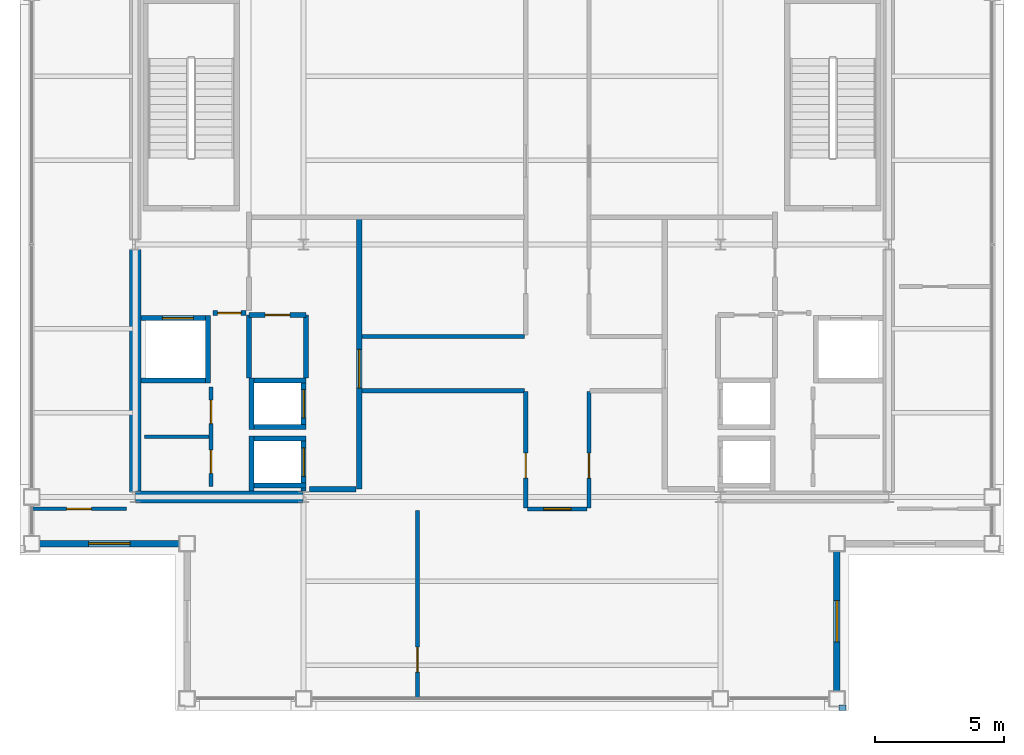
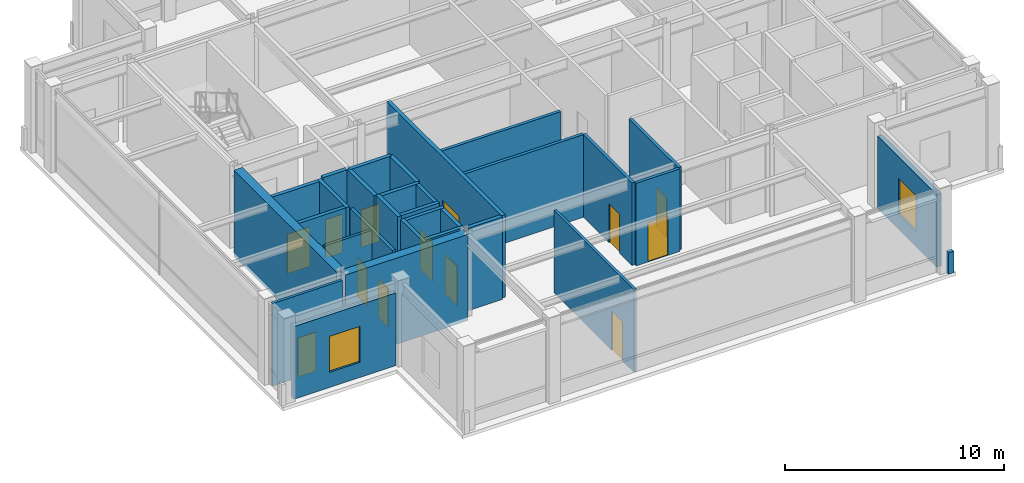
# One storey, part 17 of 21: 31 walls, 13 doors, 2 windows, 15 openings.
"""IFC4 building model written with IfcOpenShell, lengths in metres."""

import ifcopenshell
import ifcopenshell.guid

model = None  # the IFC model being written
_history = None  # IfcOwnerHistory: only IFC2X3 demands one
_inside = {}  # id of a spatial element -> (the spatial element, [elements in it])
_under = {}  # id of a project, library or spatial element -> (it, [spatial elements below it])
_declared = {}  # id of a project -> (the project, [libraries it declares])
_typed = {}  # id of a type object -> (the type object, [elements of that type])
_made_of = {}  # id of a material, layer set ... -> (it, [elements and type objects made of it])


def new_model(schema):
    """Start an empty IFC model of exactly this schema.

    Asked for "IFC4X3", IfcOpenShell would pick the latest addendum, in which some entities
    have other attributes; the version numbers below select the first issue.
    IFC2X3 requires an IfcOwnerHistory on every rooted entity: one is made here for all.
    """
    global model, _history
    if schema == "IFC4X3":
        model = ifcopenshell.file(schema_version=(4, 3, 0, 0))
    else:
        model = ifcopenshell.file(schema=schema)
    _inside.clear()
    _under.clear()
    _declared.clear()
    _typed.clear()
    _made_of.clear()
    _history = None
    if model.schema == "IFC2X3":
        org = make("IfcOrganization", Name="unknown")
        user = make(
            "IfcPersonAndOrganization",
            ThePerson=make("IfcPerson", FamilyName="unknown"),
            TheOrganization=org,
        )
        app = make(
            "IfcApplication",
            ApplicationDeveloper=org,
            Version="unknown",
            ApplicationFullName="unknown",
            ApplicationIdentifier="unknown",
        )
        _history = make(
            "IfcOwnerHistory",
            OwningUser=user,
            OwningApplication=app,
            ChangeAction="ADDED",
            CreationDate=0,
        )
    return model


def make(cls, **values):
    """One entity of the class cls with the attributes given. An attribute that is None is left unset."""
    return model.create_entity(
        cls, **{name: value for name, value in values.items() if value is not None}
    )


def rooted(cls, **values):
    """An entity with a GlobalId (a new one), such as an element, a storey or a relation."""
    return make(cls, GlobalId=ifcopenshell.guid.new(), OwnerHistory=_history, **values)


def si_unit(unit_type, name, prefix=None):
    """IfcSIUnit, for example si_unit("LENGTHUNIT", "METRE", prefix="MILLI")."""
    return make("IfcSIUnit", UnitType=unit_type, Prefix=prefix, Name=name)


def assignment(units):
    """IfcUnitAssignment: the units of a project."""
    return None if units is None else make("IfcUnitAssignment", Units=units)


def point(xyz):
    """IfcCartesianPoint."""
    return None if xyz is None else make("IfcCartesianPoint", Coordinates=xyz)


def direction(xyz):
    """IfcDirection."""
    return None if xyz is None else make("IfcDirection", DirectionRatios=xyz)


def frame(location, z_axis=None, x_axis=None):
    """IfcAxis2Placement3D, a coordinate frame: its origin and axes. An axis left out is left unset."""
    return make(
        "IfcAxis2Placement3D",
        Location=point(location),
        Axis=direction(z_axis),
        RefDirection=direction(x_axis),
    )


def frame_2d(location, x_axis=None):
    """IfcAxis2Placement2D, a coordinate frame in the plane: its origin and x axis."""
    return make(
        "IfcAxis2Placement2D", Location=point(location), RefDirection=direction(x_axis)
    )


def origin():
    """The frame at (0, 0, 0) with its axes left unset."""
    return frame((0.0, 0.0, 0.0))


def place(relative_to, where):
    """IfcLocalPlacement: puts the frame where relative to a parent placement (None: the world)."""
    return make(
        "IfcLocalPlacement", PlacementRelTo=relative_to, RelativePlacement=where
    )


def context(
    kind, dimensions, precision=None, world=None, true_north=None, identifier=None
):
    """IfcGeometricRepresentationContext, for example the 3D "Model" context."""
    return make(
        "IfcGeometricRepresentationContext",
        ContextIdentifier=identifier,
        ContextType=kind,
        CoordinateSpaceDimension=dimensions,
        Precision=precision,
        WorldCoordinateSystem=world,
        TrueNorth=true_north,
    )


def subcontext(parent, identifier, kind, view, scale=None):
    """IfcGeometricRepresentationSubContext, for example "Body" below "Model"."""
    return make(
        "IfcGeometricRepresentationSubContext",
        ContextIdentifier=identifier,
        ContextType=kind,
        ParentContext=parent,
        TargetScale=scale,
        TargetView=view,
    )


def project(units=None, contexts=None):
    """IfcProject with its units and contexts."""
    return rooted(
        "IfcProject",
        Name="project",
        RepresentationContexts=contexts,
        UnitsInContext=assignment(units),
    )


def spatial(cls, under=None, at=None, **own):
    """A site, building, storey or space (cls), placed at a placement, below another one or the project."""
    s = rooted(cls, ObjectPlacement=at, **own)
    if under is not None:
        _under.setdefault(under.id(), (under, []))[1].append(s)
    return s


def profile(cls, at=None, kind="AREA", **sizes):
    """A parametric profile (cls). Its sizes go by their IFC names, for example OverallWidth=200.0."""
    return make(cls, ProfileType=kind, Position=at, **sizes)


def rectangle(**sizes):
    """IfcRectangleProfileDef."""
    return profile("IfcRectangleProfileDef", **sizes)


def extrude(swept, where, along, depth):
    """IfcExtrudedAreaSolid: the profile swept, set in the frame where, extruded along a direction by depth."""
    return make(
        "IfcExtrudedAreaSolid",
        SweptArea=swept,
        Position=where,
        ExtrudedDirection=direction(along),
        Depth=depth,
    )


def shape(context_of_items, identifier, shape_type, items):
    """IfcShapeRepresentation: the items that make up one representation, for example the "Body"."""
    return make(
        "IfcShapeRepresentation",
        ContextOfItems=context_of_items,
        RepresentationIdentifier=identifier,
        RepresentationType=shape_type,
        Items=items,
    )


def material(Name=None, Category=None):
    """IfcMaterial."""
    return make("IfcMaterial", Name=Name, Category=Category)


def layer(
    of_material, thickness, ventilated=None, Name=None, Category=None, Priority=None
):
    """IfcMaterialLayer: one layer of a wall or slab, of a material (None: an air gap)."""
    return make(
        "IfcMaterialLayer",
        Material=of_material,
        LayerThickness=thickness,
        IsVentilated=ventilated,
        Name=Name,
        Category=Category,
        Priority=Priority,
    )


def layer_set(layers, Name=None):
    """IfcMaterialLayerSet."""
    return make("IfcMaterialLayerSet", MaterialLayers=layers, LayerSetName=Name)


def made_of(thing, what):
    """Note that an element or type object is made of a material, layer set ...; save() writes the relation."""
    if what is not None:
        _made_of.setdefault(what.id(), (what, []))[1].append(thing)
    return thing


def type_object(cls, material=None, **own):
    """A type object (cls), such as IfcWallType, which elements share."""
    return made_of(rooted(cls, **own), material)


def element(
    cls,
    number,
    at=None,
    inside=None,
    cuts=None,
    type_object=None,
    material=None,
    context=None,
    identifier="Body",
    shape_type=None,
    held_by="IfcProductDefinitionShape",
    body=None,
    shapes=None,
    **own,
):
    """One element of the class cls, such as IfcWall. Its Tag is "e" and its number.

    at: its placement. inside: the storey or other place that contains it. cuts: it is an
    opening in that element (IfcRelVoidsElement). A single representation is given by context,
    identifier, shape_type and body (its items); several are given by shapes. held_by: the class
    of the entity that holds the representations. save() writes the other relations.
    """
    e = rooted(cls, Tag="e%d" % number, ObjectPlacement=at, **own)
    if body is not None:
        shapes = [shape(context, identifier, shape_type, body)]
    if shapes is not None:
        e.Representation = make(held_by, Representations=shapes)
    if inside is not None:
        _inside.setdefault(inside.id(), (inside, []))[1].append(e)
    if cuts is not None:
        rooted(
            "IfcRelVoidsElement", RelatingBuildingElement=cuts, RelatedOpeningElement=e
        )
    if type_object is not None:
        _typed.setdefault(type_object.id(), (type_object, []))[1].append(e)
    return made_of(e, material)


def fill(opening, filler):
    """IfcRelFillsElement: the door or window that sits in an opening."""
    return rooted(
        "IfcRelFillsElement",
        RelatingOpeningElement=opening,
        RelatedBuildingElement=filler,
    )


def aggregate(whole, parts):
    """IfcRelAggregates: a whole, such as a stair, and the parts it consists of."""
    return rooted("IfcRelAggregates", RelatingObject=whole, RelatedObjects=parts)


def save(model, path):
    """Write the relations noted so far, then the file.

    IfcRelAggregates (storeys below a building ...), IfcRelContainedInSpatialStructure (elements
    in a storey), IfcRelDefinesByType, IfcRelAssociatesMaterial and IfcRelDeclares: one each for
    every whole, place, type object, material and project.
    """
    for whole, parts in _under.values():
        aggregate(whole, parts)
    for where, things in _inside.values():
        rooted(
            "IfcRelContainedInSpatialStructure",
            RelatedElements=things,
            RelatingStructure=where,
        )
    for kind, things in _typed.values():
        rooted("IfcRelDefinesByType", RelatedObjects=things, RelatingType=kind)
    for what, things in _made_of.values():
        rooted("IfcRelAssociatesMaterial", RelatedObjects=things, RelatingMaterial=what)
    for by, libraries in _declared.values():
        rooted("IfcRelDeclares", RelatingContext=by, RelatedDefinitions=libraries)
    model.write(path)


model = new_model("IFC4")

# Units and contexts
model_context = context("Model", 3, precision=1e-05, world=origin(), true_north=direction((0.0, 1.0)))
body_context = subcontext(model_context, "Body", "Model", "MODEL_VIEW")
ifc_project = project(units=[si_unit("LENGTHUNIT", "METRE"), si_unit("AREAUNIT", "SQUARE_METRE"), si_unit("VOLUMEUNIT", "CUBIC_METRE"), si_unit("PLANEANGLEUNIT", "RADIAN"), si_unit("MASSUNIT", "GRAM", prefix="KILO")], contexts=[model_context])

# Site, building, storey
site_placement = place(None, origin())
site = spatial("IfcSite", under=ifc_project, at=site_placement, CompositionType="ELEMENT")
building_placement = place(site_placement, origin())
building = spatial("IfcBuilding", under=site, at=building_placement, Name="Brelmoor Portico Tower", CompositionType="ELEMENT")
storey_placement = place(building_placement, frame((0.0, 0.0, 284.39990234375)))
storey = spatial("IfcBuildingStorey", under=building, at=storey_placement, Name="L75", CompositionType="ELEMENT", Elevation=284.39990234375)

# Walls
ifc_material_1 = material(Name="Concrete C50", Category="concrete")
ifc_layer_1 = layer(ifc_material_1, 0.449951171875)
ifc_layer_set_1 = layer_set([ifc_layer_1], Name="Concrete C50")
wall_type_1 = type_object("IfcWallType", Name="WL-CORE-450", PredefinedType="SHEAR", material=ifc_layer_set_1)
wall_1_placement = place(storey_placement, frame((-14.530029296875, -9.75, -0.199951171875), z_axis=(0.0, 0.0, 1.0), x_axis=(1.0, 0.0, 0.0)))
element("IfcWall", 1, at=wall_1_placement, inside=storey, type_object=wall_type_1, Name="L75 WC South Shear Wall", PredefinedType="SHEAR", context=body_context, shape_type="SweptSolid", body=[
    extrude(rectangle(XDim=6.4599609375, YDim=0.449951171875, at=frame_2d((3.22998046875, 0.0))), origin(), (0.0, 0.0, 1.0), 4.800048828125),
])
wall_2_placement = place(storey_placement, frame((-14.550048828125, -9.550048828125, -0.199951171875), z_axis=(0.0, 0.0, 1.0), x_axis=(0.0, 1.0, 0.0)))
element("IfcWall", 2, at=wall_2_placement, inside=storey, type_object=wall_type_1, Name="L75 WC Outer South Shear Wall", PredefinedType="SHEAR", context=body_context, shape_type="SweptSolid", body=[
    extrude(rectangle(XDim=9.35009765625, YDim=0.449951171875, at=frame_2d((4.675048828125, 0.0))), origin(), (0.0, 0.0, 1.0), 4.800048828125),
])

# Wall, opening, window
ifc_material_2 = material(Name="Precast Concrete C40 Insulated Facade Wall", Category="concrete")
ifc_layer_2 = layer(ifc_material_2, 0.25)
ifc_layer_set_2 = layer_set([ifc_layer_2], Name="Precast Concrete C40 Insulated Facade Wall")
wall_type_2 = type_object("IfcWallType", Name="WL-EXT-250", PredefinedType="STANDARD", material=ifc_layer_set_2)
wall_3_placement = place(storey_placement, frame((-18.239990234375, -11.550048828125, 0.0), z_axis=(0.0, 0.0, 1.0), x_axis=(1.0, 0.0, 0.0)))
wall_3 = element("IfcWall", 3, at=wall_3_placement, inside=storey, type_object=wall_type_2, Name="L75 Corner Notch Facade Wall NSWH1", PredefinedType="STANDARD", context=body_context, shape_type="SweptSolid", body=[
    extrude(rectangle(XDim=5.3798828125, YDim=0.25, at=frame_2d((2.68994140625, 0.0))), origin(), (0.0, 0.0, 1.0), 4.050048828125),
])
opening_1_placement = place(wall_3_placement, frame((1.889892578125, 0.0, 0.85009765625)))
opening_1 = element("IfcOpeningElement", 4, at=opening_1_placement, cuts=wall_3, Name="Opening W-01", PredefinedType="OPENING", context=body_context, shape_type="SweptSolid", body=[
    extrude(rectangle(XDim=1.60009765625, YDim=2.0, at=frame_2d((0.800048828125, 1.0))), frame((0.0, 0.135009765625, 0.0), z_axis=(0.0, -1.0, 0.0), x_axis=(1.0, 0.0, 0.0)), (0.0, 0.0, 1.0), 0.27001953125),
])
ifc_material_3 = material(Name="Thermally Broken Aluminium Low-E Window", Category="aluminium")
window_type = type_object("IfcWindowType", Name="WN-NOTCH-1600x2000", PartitioningType="SINGLE_PANEL", PredefinedType="WINDOW", material=ifc_material_3)
window_1_placement = place(opening_1_placement, origin())
window_1 = element("IfcWindow", 5, at=window_1_placement, inside=storey, type_object=window_type, Name="L75 Corner Notch Window NSWH1", OverallHeight=2.0, OverallWidth=1.60009765625, PartitioningType="SINGLE_PANEL", PredefinedType="WINDOW", context=body_context, shape_type="SweptSolid", body=[
    extrude(rectangle(XDim=1.60009765625, YDim=2.0, at=frame_2d((0.800048828125, 1.0))), frame((0.0, 0.030029296875, 0.0), z_axis=(0.0, -1.0, 0.0), x_axis=(1.0, 0.0, 0.0)), (0.0, 0.0, 1.0), 0.06005859375),
])
fill(opening_1, window_1)

wall_4_placement = place(storey_placement, frame((12.550048828125, -17.239990234375, 0.0), z_axis=(0.0, 0.0, 1.0), x_axis=(0.0, 1.0, 0.0)))
wall_4 = element("IfcWall", 6, at=wall_4_placement, inside=storey, type_object=wall_type_2, Name="L75 Corner Notch Facade Wall NSEV1", PredefinedType="STANDARD", context=body_context, shape_type="SweptSolid", body=[
    extrude(rectangle(XDim=5.3798828125, YDim=0.25, at=frame_2d((2.68994140625, 0.0))), origin(), (0.0, 0.0, 1.0), 4.050048828125),
])
opening_2_placement = place(wall_4_placement, frame((1.889892578125, 0.0, 0.85009765625)))
opening_2 = element("IfcOpeningElement", 7, at=opening_2_placement, cuts=wall_4, Name="Opening W-01", PredefinedType="OPENING", context=body_context, shape_type="SweptSolid", body=[
    extrude(rectangle(XDim=1.60009765625, YDim=2.0, at=frame_2d((0.800048828125, 1.0))), frame((0.0, 0.135009765625, 0.0), z_axis=(0.0, -1.0, 0.0), x_axis=(1.0, 0.0, 0.0)), (0.0, 0.0, 1.0), 0.27001953125),
])
window_2_placement = place(opening_2_placement, origin())
window_2 = element("IfcWindow", 8, at=window_2_placement, inside=storey, type_object=window_type, Name="L75 Corner Notch Window NSEV1", OverallHeight=2.0, OverallWidth=1.60009765625, PartitioningType="SINGLE_PANEL", PredefinedType="WINDOW", context=body_context, shape_type="SweptSolid", body=[
    extrude(rectangle(XDim=1.60009765625, YDim=2.0, at=frame_2d((0.800048828125, 1.0))), frame((0.0, 0.030029296875, 0.0), z_axis=(0.0, -1.0, 0.0), x_axis=(1.0, 0.0, 0.0)), (0.0, 0.0, 1.0), 0.06005859375),
])
fill(opening_2, window_2)

# Walls
ifc_material_4 = material(Name="Concrete C40 Parapet Upstand", Category="concrete")
ifc_layer_3 = layer(ifc_material_4, 0.219970703125)
ifc_layer_set_3 = layer_set([ifc_layer_3], Name="Concrete C40 Parapet Upstand")
wall_type_3 = type_object("IfcWallType", Name="WL-PARAPET-220", PredefinedType="PARAPET", material=ifc_layer_set_3)
wall_5_placement = place(storey_placement, frame((12.6201171875, -17.889892578125, 0.0), z_axis=(0.0, 0.0, 1.0), x_axis=(1.0, 0.0, 0.0)))
element("IfcWall", 9, at=wall_5_placement, inside=storey, type_object=wall_type_3, Name="L75 Chamfer Vertex Parapet Pier SE1", PredefinedType="PARAPET", context=body_context, shape_type="SweptSolid", body=[
    extrude(rectangle(XDim=0.269775390625, YDim=0.219970703125, at=frame_2d((0.134765625, 0.0))), origin(), (0.0, 0.0, 1.0), 1.2001953125),
])
ifc_material_5 = material(Name="Insulated Stud Suite Partition", Category="gypsum")
ifc_layer_4 = layer(ifc_material_5, 0.139892578125)
ifc_layer_set_4 = layer_set([ifc_layer_4], Name="Insulated Stud Suite Partition")
wall_type_4 = type_object("IfcWallType", Name="WL-PART-140", PredefinedType="PARTITIONING", material=ifc_layer_set_4)
wall_6_placement = place(storey_placement, frame((-11.699951171875, -7.425048828125, 0.0), z_axis=(0.0, 0.0, 1.0), x_axis=(-1.0, 0.0, 0.0)))
element("IfcWall", 10, at=wall_6_placement, inside=storey, type_object=wall_type_4, Name="L75 W Core WC Divider 1", PredefinedType="PARTITIONING", context=body_context, shape_type="SweptSolid", body=[
    extrude(rectangle(XDim=2.5, YDim=0.139892578125, at=frame_2d((1.25, 0.0))), origin(), (0.0, 0.0, 1.0), 4.60009765625),
])

# Wall, opening, door
wall_7_placement = place(storey_placement, frame((-3.651123046875, -17.56005859375, 0.0), z_axis=(0.0, 0.0, 1.0), x_axis=(0.0, 1.0, 0.0)))
wall_7 = element("IfcWall", 11, at=wall_7_placement, inside=storey, type_object=wall_type_4, Name="L75 South Suite Partition 1", PredefinedType="PARTITIONING", context=body_context, shape_type="SweptSolid", body=[
    extrude(rectangle(XDim=7.2900390625, YDim=0.139892578125, at=frame_2d((3.64501953125, 0.0))), origin(), (0.0, 0.0, 1.0), 4.60009765625),
])
opening_3_placement = place(wall_7_placement, frame((1.050048828125, 0.0, 0.0)))
opening_3 = element("IfcOpeningElement", 12, at=opening_3_placement, cuts=wall_7, Name="Opening D-IN2", PredefinedType="OPENING", context=body_context, shape_type="SweptSolid", body=[
    extrude(rectangle(XDim=0.9599609375, YDim=2.179931640625, at=frame_2d((0.47998046875, 1.08984375))), frame((0.0, 0.079833984375, 0.0), z_axis=(0.0, -1.0, 0.0), x_axis=(1.0, 0.0, 0.0)), (0.0, 0.0, 1.0), 0.159912109375),
])
ifc_material_6 = material(Name="Lacquered Timber Suite Door", Category="wood")
door_type_1 = type_object("IfcDoorType", Name="DR-INT-950", OperationType="NOTDEFINED", PredefinedType="DOOR", material=ifc_material_6)
door_1_placement = place(opening_3_placement, origin())
door_1 = element("IfcDoor", 13, at=door_1_placement, inside=storey, type_object=door_type_1, Name="D-3062 L75 South Suite Connecting Door 1", OperationType="SINGLE_SWING_LEFT", OverallHeight=2.179931640625, OverallWidth=0.9599609375, PredefinedType="DOOR", context=body_context, shape_type="SweptSolid", body=[
    extrude(rectangle(XDim=0.9599609375, YDim=2.179931640625, at=frame_2d((0.47998046875, 1.08984375))), frame((0.0, 0.02490234375, 0.0), z_axis=(0.0, -1.0, 0.0), x_axis=(1.0, 0.0, 0.0)), (0.0, 0.0, 1.0), 0.050048828125),
])
fill(opening_3, door_1)

wall_8_placement = place(storey_placement, frame((-18.56005859375, -10.2099609375, 0.0), z_axis=(0.0, 0.0, 1.0), x_axis=(1.0, 0.0, 0.0)))
wall_8 = element("IfcWall", 14, at=wall_8_placement, inside=storey, type_object=wall_type_4, Name="L75 South Wing Closure WL", PredefinedType="PARTITIONING", context=body_context, shape_type="SweptSolid", body=[
    extrude(rectangle(XDim=3.68017578125, YDim=0.139892578125, at=frame_2d((1.840087890625, 0.0))), origin(), (0.0, 0.0, 1.0), 4.60009765625),
])
opening_4_placement = place(wall_8_placement, frame((1.360107421875, 0.0, 0.0)))
opening_4 = element("IfcOpeningElement", 15, at=opening_4_placement, cuts=wall_8, Name="Opening D-IN2", PredefinedType="OPENING", context=body_context, shape_type="SweptSolid", body=[
    extrude(rectangle(XDim=0.9599609375, YDim=2.179931640625, at=frame_2d((0.47998046875, 1.08984375))), frame((0.0, 0.079833984375, 0.0), z_axis=(0.0, -1.0, 0.0), x_axis=(1.0, 0.0, 0.0)), (0.0, 0.0, 1.0), 0.159912109375),
])
door_2_placement = place(opening_4_placement, origin())
door_2 = element("IfcDoor", 16, at=door_2_placement, inside=storey, type_object=door_type_1, Name="D-3066 L75 WL Wing South Suite Door", OperationType="SINGLE_SWING_LEFT", OverallHeight=2.179931640625, OverallWidth=0.9599609375, PredefinedType="DOOR", context=body_context, shape_type="SweptSolid", body=[
    extrude(rectangle(XDim=0.9599609375, YDim=2.179931640625, at=frame_2d((0.47998046875, 1.08984375))), frame((0.0, 0.02490234375, 0.0), z_axis=(0.0, -1.0, 0.0), x_axis=(1.0, 0.0, 0.0)), (0.0, 0.0, 1.0), 0.050048828125),
])
fill(opening_4, door_2)

# Wall, openings, doors
ifc_material_7 = material(Name="Twin-Frame Acoustic Partition", Category="gypsum")
ifc_layer_5 = layer(ifc_material_7, 0.159912109375)
ifc_layer_set_5 = layer_set([ifc_layer_5], Name="Twin-Frame Acoustic Partition")
wall_type_5 = type_object("IfcWallType", Name="WL-PART-160", PredefinedType="PARTITIONING", material=ifc_layer_set_5)
wall_9_placement = place(storey_placement, frame((-11.6201171875, -9.35009765625, 0.0), z_axis=(0.0, 0.0, 1.0), x_axis=(0.0, 1.0, 0.0)))
wall_9 = element("IfcWall", 17, at=wall_9_placement, inside=storey, type_object=wall_type_5, Name="L75 W Core Service Front Wall", PredefinedType="PARTITIONING", context=body_context, shape_type="SweptSolid", body=[
    extrude(rectangle(XDim=3.85009765625, YDim=0.159912109375, at=frame_2d((1.925048828125, 0.0))), origin(), (0.0, 0.0, 1.0), 4.60009765625),
])
opening_5_placement = place(wall_9_placement, frame((0.512451171875, 0.0, 0.0)))
opening_5 = element("IfcOpeningElement", 18, at=opening_5_placement, cuts=wall_9, Name="Opening D-IN1", PredefinedType="OPENING", context=body_context, shape_type="SweptSolid", body=[
    extrude(rectangle(XDim=0.89990234375, YDim=2.14990234375, at=frame_2d((0.449951171875, 1.074951171875))), frame((0.0, 0.08984375, 0.0), z_axis=(0.0, -1.0, 0.0), x_axis=(1.0, 0.0, 0.0)), (0.0, 0.0, 1.0), 0.179931640625),
])
opening_6_placement = place(wall_9_placement, frame((2.4375, 0.0, 0.0)))
opening_6 = element("IfcOpeningElement", 19, at=opening_6_placement, cuts=wall_9, Name="Opening D-IN1", PredefinedType="OPENING", context=body_context, shape_type="SweptSolid", body=[
    extrude(rectangle(XDim=0.89990234375, YDim=2.14990234375, at=frame_2d((0.449951171875, 1.074951171875))), frame((0.0, 0.08984375, 0.0), z_axis=(0.0, -1.0, 0.0), x_axis=(1.0, 0.0, 0.0)), (0.0, 0.0, 1.0), 0.179931640625),
])
door_type_2 = type_object("IfcDoorType", Name="DR-INT-900", OperationType="NOTDEFINED", PredefinedType="DOOR", material=ifc_material_6)
door_3_placement = place(opening_5_placement, origin())
door_3 = element("IfcDoor", 20, at=door_3_placement, inside=storey, type_object=door_type_2, Name="D-3049 L75 W Accessible WC Door", OperationType="SINGLE_SWING_RIGHT", OverallHeight=2.14990234375, OverallWidth=0.89990234375, PredefinedType="DOOR", context=body_context, shape_type="SweptSolid", body=[
    extrude(rectangle(XDim=0.89990234375, YDim=2.14990234375, at=frame_2d((0.449951171875, 1.074951171875))), frame((0.0, 0.02490234375, 0.0), z_axis=(0.0, -1.0, 0.0), x_axis=(1.0, 0.0, 0.0)), (0.0, 0.0, 1.0), 0.050048828125),
])
fill(opening_5, door_3)
door_4_placement = place(opening_6_placement, origin())
door_4 = element("IfcDoor", 21, at=door_4_placement, inside=storey, type_object=door_type_2, Name="D-3050 L75 W Staff WC Door", OperationType="SINGLE_SWING_LEFT", OverallHeight=2.14990234375, OverallWidth=0.89990234375, PredefinedType="DOOR", context=body_context, shape_type="SweptSolid", body=[
    extrude(rectangle(XDim=0.89990234375, YDim=2.14990234375, at=frame_2d((0.449951171875, 1.074951171875))), frame((0.0, 0.02490234375, 0.0), z_axis=(0.0, -1.0, 0.0), x_axis=(1.0, 0.0, 0.0)), (0.0, 0.0, 1.0), 0.050048828125),
])
fill(opening_6, door_4)

# Wall
wall_10_placement = place(storey_placement, frame((-5.800048828125, -3.550048828125, 0.0), z_axis=(0.0, 0.0, 1.0), x_axis=(1.0, 0.0, 0.0)))
element("IfcWall", 22, at=wall_10_placement, inside=storey, type_object=wall_type_5, Name="L75 West Pantry South Wall", PredefinedType="PARTITIONING", context=body_context, shape_type="SweptSolid", body=[
    extrude(rectangle(XDim=6.2900390625, YDim=0.159912109375, at=frame_2d((3.14501953125, 0.0))), origin(), (0.0, 0.0, 1.0), 4.60009765625),
])

# Wall, opening, door
wall_11_placement = place(storey_placement, frame((0.530029296875, -10.169921875, 0.0), z_axis=(0.0, 0.0, 1.0), x_axis=(0.0, 1.0, 0.0)))
wall_11 = element("IfcWall", 23, at=wall_11_placement, inside=storey, type_object=wall_type_5, Name="L75 South Cross West Wall", PredefinedType="PARTITIONING", context=body_context, shape_type="SweptSolid", body=[
    extrude(rectangle(XDim=4.489990234375, YDim=0.159912109375, at=frame_2d((2.2451171875, 0.0))), origin(), (0.0, 0.0, 1.0), 4.60009765625),
])
opening_7_placement = place(wall_11_placement, frame((1.14990234375, 0.0, 0.0)))
opening_7 = element("IfcOpeningElement", 24, at=opening_7_placement, cuts=wall_11, Name="Opening D-IN2", PredefinedType="OPENING", context=body_context, shape_type="SweptSolid", body=[
    extrude(rectangle(XDim=0.9599609375, YDim=2.179931640625, at=frame_2d((0.47998046875, 1.08984375))), frame((0.0, 0.08984375, 0.0), z_axis=(0.0, -1.0, 0.0), x_axis=(1.0, 0.0, 0.0)), (0.0, 0.0, 1.0), 0.179931640625),
])
door_5_placement = place(opening_7_placement, origin())
door_5 = element("IfcDoor", 25, at=door_5_placement, inside=storey, type_object=door_type_1, Name="D-3042 L75 South-West Archive Room Door", OperationType="SINGLE_SWING_LEFT", OverallHeight=2.179931640625, OverallWidth=0.9599609375, PredefinedType="DOOR", context=body_context, shape_type="SweptSolid", body=[
    extrude(rectangle(XDim=0.9599609375, YDim=2.179931640625, at=frame_2d((0.47998046875, 1.08984375))), frame((0.0, 0.02490234375, 0.0), z_axis=(0.0, -1.0, 0.0), x_axis=(1.0, 0.0, 0.0)), (0.0, 0.0, 1.0), 0.050048828125),
])
fill(opening_7, door_5)

wall_12_placement = place(storey_placement, frame((2.969970703125, -10.169921875, 0.0), z_axis=(0.0, 0.0, 1.0), x_axis=(0.0, 1.0, 0.0)))
wall_12 = element("IfcWall", 26, at=wall_12_placement, inside=storey, type_object=wall_type_5, Name="L75 South Cross East Wall", PredefinedType="PARTITIONING", context=body_context, shape_type="SweptSolid", body=[
    extrude(rectangle(XDim=4.489990234375, YDim=0.159912109375, at=frame_2d((2.2451171875, 0.0))), origin(), (0.0, 0.0, 1.0), 4.60009765625),
])
opening_8_placement = place(wall_12_placement, frame((1.14990234375, 0.0, 0.0)))
opening_8 = element("IfcOpeningElement", 27, at=opening_8_placement, cuts=wall_12, Name="Opening D-IN2", PredefinedType="OPENING", context=body_context, shape_type="SweptSolid", body=[
    extrude(rectangle(XDim=0.9599609375, YDim=2.179931640625, at=frame_2d((0.47998046875, 1.08984375))), frame((0.0, 0.08984375, 0.0), z_axis=(0.0, -1.0, 0.0), x_axis=(1.0, 0.0, 0.0)), (0.0, 0.0, 1.0), 0.179931640625),
])
door_6_placement = place(opening_8_placement, origin())
door_6 = element("IfcDoor", 28, at=door_6_placement, inside=storey, type_object=door_type_1, Name="D-3041 L75 South-East Partner Office Door", OperationType="SINGLE_SWING_RIGHT", OverallHeight=2.179931640625, OverallWidth=0.9599609375, PredefinedType="DOOR", context=body_context, shape_type="SweptSolid", body=[
    extrude(rectangle(XDim=0.9599609375, YDim=2.179931640625, at=frame_2d((0.47998046875, 1.08984375))), frame((0.0, 0.02490234375, 0.0), z_axis=(0.0, -1.0, 0.0), x_axis=(1.0, 0.0, 0.0)), (0.0, 0.0, 1.0), 0.050048828125),
])
fill(opening_8, door_6)

# Wall
wall_13_placement = place(storey_placement, frame((-5.800048828125, -5.64990234375, 0.0), z_axis=(0.0, 0.0, 1.0), x_axis=(1.0, 0.0, 0.0)))
element("IfcWall", 29, at=wall_13_placement, inside=storey, type_object=wall_type_5, Name="L75 South-West Chamber Top Wall", PredefinedType="PARTITIONING", context=body_context, shape_type="SweptSolid", body=[
    extrude(rectangle(XDim=6.2900390625, YDim=0.159912109375, at=frame_2d((3.14501953125, 0.0))), origin(), (0.0, 0.0, 1.0), 4.60009765625),
])

# Wall, opening, door
wall_14_placement = place(storey_placement, frame((0.60009765625, -10.2099609375, 0.0), z_axis=(0.0, 0.0, 1.0), x_axis=(1.0, 0.0, 0.0)))
wall_14 = element("IfcWall", 30, at=wall_14_placement, inside=storey, type_object=wall_type_5, Name="L75 South Corridor Partition", PredefinedType="PARTITIONING", context=body_context, shape_type="SweptSolid", body=[
    extrude(rectangle(XDim=2.2998046875, YDim=0.159912109375, at=frame_2d((1.14990234375, 0.0))), origin(), (0.0, 0.0, 1.0), 4.60009765625),
])
opening_9_placement = place(wall_14_placement, frame((0.6201171875, 0.0, 0.0)))
opening_9 = element("IfcOpeningElement", 31, at=opening_9_placement, cuts=wall_14, Name="Opening D-OF2", PredefinedType="OPENING", context=body_context, shape_type="SweptSolid", body=[
    extrude(rectangle(XDim=1.06005859375, YDim=2.199951171875, at=frame_2d((0.530029296875, 1.10009765625))), frame((0.0, 0.08984375, 0.0), z_axis=(0.0, -1.0, 0.0), x_axis=(1.0, 0.0, 0.0)), (0.0, 0.0, 1.0), 0.179931640625),
])
ifc_material_8 = material(Name="Hardwood Acoustic Veneer Door", Category="wood")
door_type_3 = type_object("IfcDoorType", Name="DR-OFFICE-1050", OperationType="NOTDEFINED", PredefinedType="DOOR", material=ifc_material_8)
door_7_placement = place(opening_9_placement, origin())
door_7 = element("IfcDoor", 32, at=door_7_placement, inside=storey, type_object=door_type_3, Name="D-3061 L75 South Observation Management Office 2 Door", OperationType="SINGLE_SWING_RIGHT", OverallHeight=2.199951171875, OverallWidth=1.06005859375, PredefinedType="DOOR", context=body_context, shape_type="SweptSolid", body=[
    extrude(rectangle(XDim=1.06005859375, YDim=2.199951171875, at=frame_2d((0.530029296875, 1.10009765625))), frame((0.0, 0.02490234375, 0.0), z_axis=(0.0, -1.0, 0.0), x_axis=(1.0, 0.0, 0.0)), (0.0, 0.0, 1.0), 0.050048828125),
])
fill(opening_9, door_7)

ifc_material_9 = material(Name="Double-Stud Gypsum Fire Partition", Category="gypsum")
ifc_layer_6 = layer(ifc_material_9, 0.199951171875)
ifc_layer_set_6 = layer_set([ifc_layer_6], Name="Double-Stud Gypsum Fire Partition")
wall_type_6 = type_object("IfcWallType", Name="WL-PART-200", PredefinedType="PARTITIONING", material=ifc_layer_set_6)
wall_15_placement = place(storey_placement, frame((-5.89990234375, -9.449951171875, 0.0), z_axis=(0.0, 0.0, 1.0), x_axis=(0.0, 1.0, 0.0)))
wall_15 = element("IfcWall", 33, at=wall_15_placement, inside=storey, type_object=wall_type_6, Name="L75 W Core Lobby Compartment Wall", PredefinedType="PARTITIONING", context=body_context, shape_type="SweptSolid", body=[
    extrude(rectangle(XDim=10.5, YDim=0.199951171875, at=frame_2d((5.25, 0.0))), origin(), (0.0, 0.0, 1.0), 4.60009765625),
])
opening_10_placement = place(wall_15_placement, frame((3.89990234375, 0.0, 0.0)))
opening_10 = element("IfcOpeningElement", 34, at=opening_10_placement, cuts=wall_15, Name="Opening D-LB1", PredefinedType="OPENING", context=body_context, shape_type="SweptSolid", body=[
    extrude(rectangle(XDim=1.5, YDim=2.199951171875, at=frame_2d((0.75, 1.10009765625))), frame((0.0, 0.10986328125, 0.0), z_axis=(0.0, -1.0, 0.0), x_axis=(1.0, 0.0, 0.0)), (0.0, 0.0, 1.0), 0.219970703125),
])
ifc_material_10 = material(Name="Double-Leaf Glazed Steel Fire Door", Category="steel")
door_type_4 = type_object("IfcDoorType", Name="DR-LOBBY-1500", OperationType="NOTDEFINED", PredefinedType="DOOR", material=ifc_material_10)
door_8_placement = place(opening_10_placement, origin())
door_8 = element("IfcDoor", 35, at=door_8_placement, inside=storey, type_object=door_type_4, Name="D-3056 L75 W Lift Lobby Main Door", OperationType="DOUBLE_DOOR_SINGLE_SWING", OverallHeight=2.199951171875, OverallWidth=1.5, PredefinedType="DOOR", context=body_context, shape_type="SweptSolid", body=[
    extrude(rectangle(XDim=1.5, YDim=2.199951171875, at=frame_2d((0.75, 1.10009765625))), frame((0.0, 0.02490234375, 0.0), z_axis=(0.0, -1.0, 0.0), x_axis=(1.0, 0.0, 0.0)), (0.0, 0.0, 1.0), 0.050048828125),
])
fill(opening_10, door_8)

# Wall
wall_16_placement = place(storey_placement, frame((-6.02001953125, -9.449951171875, 0.0), z_axis=(0.0, 0.0, 1.0), x_axis=(-1.0, 0.0, 0.0)))
element("IfcWall", 36, at=wall_16_placement, inside=storey, type_object=wall_type_6, Name="L75 W Lift Lobby South End Wall", PredefinedType="PARTITIONING", context=body_context, shape_type="SweptSolid", body=[
    extrude(rectangle(XDim=1.800048828125, YDim=0.199951171875, at=frame_2d((0.89990234375, 0.0))), origin(), (0.0, 0.0, 1.0), 4.60009765625),
])

# Wall, opening, door
wall_17_placement = place(storey_placement, frame((-10.280029296875, -2.64990234375, 0.0), z_axis=(0.0, 0.0, 1.0), x_axis=(-1.0, 0.0, 0.0)))
wall_17 = element("IfcWall", 37, at=wall_17_placement, inside=storey, type_object=wall_type_6, Name="L75 W Firefighting Lobby South Wall", PredefinedType="PARTITIONING", context=body_context, shape_type="SweptSolid", body=[
    extrude(rectangle(XDim=1.27001953125, YDim=0.199951171875, at=frame_2d((0.635009765625, 0.0))), origin(), (0.0, 0.0, 1.0), 4.60009765625),
])
opening_11_placement = place(wall_17_placement, frame((0.18505859375, 0.0, 0.0)))
opening_11 = element("IfcOpeningElement", 38, at=opening_11_placement, cuts=wall_17, Name="Opening D-IN1", PredefinedType="OPENING", context=body_context, shape_type="SweptSolid", body=[
    extrude(rectangle(XDim=0.89990234375, YDim=2.14990234375, at=frame_2d((0.449951171875, 1.074951171875))), frame((0.0, 0.10986328125, 0.0), z_axis=(0.0, -1.0, 0.0), x_axis=(1.0, 0.0, 0.0)), (0.0, 0.0, 1.0), 0.219970703125),
])
door_9_placement = place(opening_11_placement, origin())
door_9 = element("IfcDoor", 39, at=door_9_placement, inside=storey, type_object=door_type_2, Name="D-3048 L75 W Core Service Vestibule Door", OperationType="SINGLE_SWING_RIGHT", OverallHeight=2.14990234375, OverallWidth=0.89990234375, PredefinedType="DOOR", context=body_context, shape_type="SweptSolid", body=[
    extrude(rectangle(XDim=0.89990234375, YDim=2.14990234375, at=frame_2d((0.449951171875, 1.074951171875))), frame((0.0, 0.02490234375, 0.0), z_axis=(0.0, -1.0, 0.0), x_axis=(1.0, 0.0, 0.0)), (0.0, 0.0, 1.0), 0.050048828125),
])
fill(opening_11, door_9)

wall_18_placement = place(storey_placement, frame((-7.9599609375, -2.719970703125, 0.0), z_axis=(0.0, 0.0, 1.0), x_axis=(-1.0, 0.0, 0.0)))
wall_18 = element("IfcWall", 40, at=wall_18_placement, inside=storey, type_object=wall_type_6, Name="L75 W Electrical Switchgear Closet Wall", PredefinedType="PARTITIONING", context=body_context, shape_type="SweptSolid", body=[
    extrude(rectangle(XDim=2.199951171875, YDim=0.199951171875, at=frame_2d((1.10009765625, 0.0))), origin(), (0.0, 0.0, 1.0), 4.60009765625),
])
opening_12_placement = place(wall_18_placement, frame((0.6201171875, 0.0, 0.0)))
opening_12 = element("IfcOpeningElement", 41, at=opening_12_placement, cuts=wall_18, Name="Opening D-FR4", PredefinedType="OPENING", context=body_context, shape_type="SweptSolid", body=[
    extrude(rectangle(XDim=0.949951171875, YDim=2.10009765625, at=frame_2d((0.47509765625, 1.050048828125))), frame((0.0, 0.10986328125, 0.0), z_axis=(0.0, -1.0, 0.0), x_axis=(1.0, 0.0, 0.0)), (0.0, 0.0, 1.0), 0.219970703125),
])
ifc_material_11 = material(Name="Painted Galvanised Steel Riser Door", Category="steel")
door_type_5 = type_object("IfcDoorType", Name="DR-FIRE-950", OperationType="NOTDEFINED", PredefinedType="DOOR", material=ifc_material_11)
door_10_placement = place(opening_12_placement, origin())
door_10 = element("IfcDoor", 42, at=door_10_placement, inside=storey, type_object=door_type_5, Name="D-3052 L75 W Electrical Switchgear Closet Door", OperationType="SINGLE_SWING_LEFT", OverallHeight=2.10009765625, OverallWidth=0.949951171875, PredefinedType="DOOR", context=body_context, shape_type="SweptSolid", body=[
    extrude(rectangle(XDim=0.949951171875, YDim=2.10009765625, at=frame_2d((0.47509765625, 1.050048828125))), frame((0.0, 0.02490234375, 0.0), z_axis=(0.0, -1.0, 0.0), x_axis=(1.0, 0.0, 0.0)), (0.0, 0.0, 1.0), 0.050048828125),
])
fill(opening_12, door_10)

# Walls
for number, where, z_axis, x_axis, name in (
    (43, (-7.9599609375, -5.159912109375, 0.0), (0.0, 0.0, 1.0), (0.0, 1.0, 0.0), "L75 W Electrical Switchgear Closet Inner Wall"),
    (44, (-10.159912109375, -5.159912109375, 0.0), (0.0, 0.0, 1.0), (0.0, 1.0, 0.0), "L75 W Electrical Switchgear Closet Outer Wall"),
):
    element("IfcWall", number, at=place(storey_placement, frame(where, z_axis=z_axis, x_axis=x_axis)), inside=storey, type_object=wall_type_6, Name=name, PredefinedType="PARTITIONING", context=body_context, shape_type="SweptSolid", body=[
        extrude(rectangle(XDim=2.43994140625, YDim=0.199951171875, at=frame_2d((1.219970703125, 0.0))), origin(), (0.0, 0.0, 1.0), 4.60009765625),
    ])

# Wall, opening, door
ifc_material_12 = material(Name="Precast Concrete C40", Category="concrete")
ifc_layer_7 = layer(ifc_material_12, 0.18994140625)
ifc_layer_set_7 = layer_set([ifc_layer_7], Name="Precast Concrete C40")
wall_type_7 = type_object("IfcWallType", Name="WL-SHAFT-180", PredefinedType="SOLIDWALL", material=ifc_layer_set_7)
wall_19_placement = place(storey_placement, frame((-8.044921875, -9.52001953125, -0.199951171875), z_axis=(0.0, 0.0, 1.0), x_axis=(0.0, 1.0, 0.0)))
wall_19 = element("IfcWall", 45, at=wall_19_placement, inside=storey, type_object=wall_type_7, Name="L75 Lift PH1 Hoistway Front Wall", PredefinedType="SOLIDWALL", context=body_context, shape_type="SweptSolid", body=[
    extrude(rectangle(XDim=2.1201171875, YDim=0.18994140625, at=frame_2d((1.06005859375, 0.0))), origin(), (0.0, 0.0, 1.0), 4.800048828125),
])
opening_13_placement = place(wall_19_placement, frame((0.570068359375, 0.0, 0.199951171875)))
opening_13 = element("IfcOpeningElement", 46, at=opening_13_placement, cuts=wall_19, Name="Opening LD-01", PredefinedType="OPENING", context=body_context, shape_type="SweptSolid", body=[
    extrude(rectangle(XDim=1.10009765625, YDim=2.199951171875, at=frame_2d((0.550048828125, 1.10009765625))), frame((0.0, 0.10498046875, 0.0), z_axis=(0.0, -1.0, 0.0), x_axis=(1.0, 0.0, 0.0)), (0.0, 0.0, 1.0), 0.2099609375),
])
ifc_material_13 = material(Name="Brushed Stainless Steel Sliding Lift Door", Category="steel")
door_type_6 = type_object("IfcDoorType", Name="DR-LIFT-1100", OperationType="NOTDEFINED", PredefinedType="DOOR", material=ifc_material_13)
door_11_placement = place(opening_13_placement, origin())
door_11 = element("IfcDoor", 47, at=door_11_placement, inside=storey, type_object=door_type_6, Name="D-3070 L75 Lift PH1 Sliding Landing Door", OperationType="SLIDING_TO_LEFT", OverallHeight=2.199951171875, OverallWidth=1.10009765625, PredefinedType="DOOR", context=body_context, shape_type="SweptSolid", body=[
    extrude(rectangle(XDim=1.10009765625, YDim=2.199951171875, at=frame_2d((0.550048828125, 1.10009765625))), frame((0.0, 0.02490234375, 0.0), z_axis=(0.0, -1.0, 0.0), x_axis=(1.0, 0.0, 0.0)), (0.0, 0.0, 1.0), 0.050048828125),
])
fill(opening_13, door_11)

# Walls
wall_20_placement = place(storey_placement, frame((-10.054931640625, -9.52001953125, -0.199951171875), z_axis=(0.0, 0.0, 1.0), x_axis=(0.0, 1.0, 0.0)))
element("IfcWall", 48, at=wall_20_placement, inside=storey, type_object=wall_type_7, Name="L75 Lift PH1 Hoistway Back Wall", PredefinedType="SOLIDWALL", context=body_context, shape_type="SweptSolid", body=[
    extrude(rectangle(XDim=2.1201171875, YDim=0.18994140625, at=frame_2d((1.06005859375, 0.0))), origin(), (0.0, 0.0, 1.0), 4.800048828125),
])
for number, where, z_axis, x_axis, name in (
    (49, (-10.14990234375, -7.4951171875, -0.199951171875), (0.0, 0.0, 1.0), (1.0, 0.0, 0.0), "L75 Lift PH1 Hoistway North Wall"),
    (50, (-10.14990234375, -9.304931640625, -0.199951171875), (0.0, 0.0, 1.0), (1.0, 0.0, 0.0), "L75 Lift PH1 Hoistway South Wall"),
):
    element("IfcWall", number, at=place(storey_placement, frame(where, z_axis=z_axis, x_axis=x_axis)), inside=storey, type_object=wall_type_7, Name=name, PredefinedType="SOLIDWALL", context=body_context, shape_type="SweptSolid", body=[
        extrude(rectangle(XDim=2.199951171875, YDim=0.18994140625, at=frame_2d((1.10009765625, 0.0))), origin(), (0.0, 0.0, 1.0), 4.800048828125),
    ])

# Wall, opening, door
wall_21_placement = place(storey_placement, frame((-8.044921875, -7.14990234375, -0.199951171875), z_axis=(0.0, 0.0, 1.0), x_axis=(0.0, 1.0, 0.0)))
wall_21 = element("IfcWall", 51, at=wall_21_placement, inside=storey, type_object=wall_type_7, Name="L75 Lift PH2 Hoistway Front Wall", PredefinedType="SOLIDWALL", context=body_context, shape_type="SweptSolid", body=[
    extrude(rectangle(XDim=2.0, YDim=0.18994140625, at=frame_2d((1.0, 0.0))), origin(), (0.0, 0.0, 1.0), 4.800048828125),
])
opening_14_placement = place(wall_21_placement, frame((0.449951171875, 0.0, 0.199951171875)))
opening_14 = element("IfcOpeningElement", 52, at=opening_14_placement, cuts=wall_21, Name="Opening LD-01", PredefinedType="OPENING", context=body_context, shape_type="SweptSolid", body=[
    extrude(rectangle(XDim=1.10009765625, YDim=2.199951171875, at=frame_2d((0.550048828125, 1.10009765625))), frame((0.0, 0.10498046875, 0.0), z_axis=(0.0, -1.0, 0.0), x_axis=(1.0, 0.0, 0.0)), (0.0, 0.0, 1.0), 0.2099609375),
])
door_12_placement = place(opening_14_placement, origin())
door_12 = element("IfcDoor", 53, at=door_12_placement, inside=storey, type_object=door_type_6, Name="D-3071 L75 Lift PH2 Sliding Landing Door", OperationType="SLIDING_TO_LEFT", OverallHeight=2.199951171875, OverallWidth=1.10009765625, PredefinedType="DOOR", context=body_context, shape_type="SweptSolid", body=[
    extrude(rectangle(XDim=1.10009765625, YDim=2.199951171875, at=frame_2d((0.550048828125, 1.10009765625))), frame((0.0, 0.02490234375, 0.0), z_axis=(0.0, -1.0, 0.0), x_axis=(1.0, 0.0, 0.0)), (0.0, 0.0, 1.0), 0.050048828125),
])
fill(opening_14, door_12)

# Walls
wall_22_placement = place(storey_placement, frame((-10.054931640625, -7.14990234375, -0.199951171875), z_axis=(0.0, 0.0, 1.0), x_axis=(0.0, 1.0, 0.0)))
element("IfcWall", 54, at=wall_22_placement, inside=storey, type_object=wall_type_7, Name="L75 Lift PH2 Hoistway Back Wall", PredefinedType="SOLIDWALL", context=body_context, shape_type="SweptSolid", body=[
    extrude(rectangle(XDim=2.0, YDim=0.18994140625, at=frame_2d((1.0, 0.0))), origin(), (0.0, 0.0, 1.0), 4.800048828125),
])
for number, where, z_axis, x_axis, name in (
    (55, (-10.14990234375, -5.2451171875, -0.199951171875), (0.0, 0.0, 1.0), (1.0, 0.0, 0.0), "L75 Lift PH2 Hoistway North Wall"),
    (56, (-10.14990234375, -7.054931640625, -0.199951171875), (0.0, 0.0, 1.0), (1.0, 0.0, 0.0), "L75 Lift PH2 Hoistway South Wall"),
):
    element("IfcWall", number, at=place(storey_placement, frame(where, z_axis=z_axis, x_axis=x_axis)), inside=storey, type_object=wall_type_7, Name=name, PredefinedType="SOLIDWALL", context=body_context, shape_type="SweptSolid", body=[
        extrude(rectangle(XDim=2.199951171875, YDim=0.18994140625, at=frame_2d((1.10009765625, 0.0))), origin(), (0.0, 0.0, 1.0), 4.800048828125),
    ])

# Wall, opening, door
wall_23_placement = place(storey_placement, frame((-14.330078125, -2.844970703125, -0.199951171875), z_axis=(0.0, 0.0, 1.0), x_axis=(1.0, 0.0, 0.0)))
wall_23 = element("IfcWall", 57, at=wall_23_placement, inside=storey, type_object=wall_type_7, Name="L75 Lift FF1 Hoistway Front Wall", PredefinedType="SOLIDWALL", context=body_context, shape_type="SweptSolid", body=[
    extrude(rectangle(XDim=2.68017578125, YDim=0.18994140625, at=frame_2d((1.340087890625, 0.0))), origin(), (0.0, 0.0, 1.0), 4.800048828125),
])
opening_15_placement = place(wall_23_placement, frame((0.830078125, 0.0, 0.199951171875)))
opening_15 = element("IfcOpeningElement", 58, at=opening_15_placement, cuts=wall_23, Name="Opening LD-02", PredefinedType="OPENING", context=body_context, shape_type="SweptSolid", body=[
    extrude(rectangle(XDim=1.199951171875, YDim=2.199951171875, at=frame_2d((0.60009765625, 1.10009765625))), frame((0.0, 0.10498046875, 0.0), z_axis=(0.0, -1.0, 0.0), x_axis=(1.0, 0.0, 0.0)), (0.0, 0.0, 1.0), 0.2099609375),
])
ifc_material_14 = material(Name="Brushed Stainless Steel Firefighting Lift Door", Category="steel")
door_type_7 = type_object("IfcDoorType", Name="DR-LIFT-1200", OperationType="NOTDEFINED", PredefinedType="DOOR", material=ifc_material_14)
door_13_placement = place(opening_15_placement, origin())
door_13 = element("IfcDoor", 59, at=door_13_placement, inside=storey, type_object=door_type_7, Name="D-3068 L75 Lift FF1 Sliding Landing Door", OperationType="SLIDING_TO_LEFT", OverallHeight=2.199951171875, OverallWidth=1.199951171875, PredefinedType="DOOR", context=body_context, shape_type="SweptSolid", body=[
    extrude(rectangle(XDim=1.199951171875, YDim=2.199951171875, at=frame_2d((0.60009765625, 1.10009765625))), frame((0.0, 0.02490234375, 0.0), z_axis=(0.0, -1.0, 0.0), x_axis=(1.0, 0.0, 0.0)), (0.0, 0.0, 1.0), 0.050048828125),
])
fill(opening_15, door_13)

# Walls
wall_24_placement = place(storey_placement, frame((-14.330078125, -5.2548828125, -0.199951171875), z_axis=(0.0, 0.0, 1.0), x_axis=(1.0, 0.0, 0.0)))
element("IfcWall", 60, at=wall_24_placement, inside=storey, type_object=wall_type_7, Name="L75 Firefighting Lift FF1 South Wall", PredefinedType="SOLIDWALL", context=body_context, shape_type="SweptSolid", body=[
    extrude(rectangle(XDim=2.68017578125, YDim=0.18994140625, at=frame_2d((1.340087890625, 0.0))), origin(), (0.0, 0.0, 1.0), 4.800048828125),
])
wall_25_placement = place(storey_placement, frame((-11.7451171875, -5.35009765625, -0.199951171875), z_axis=(0.0, 0.0, 1.0), x_axis=(0.0, 1.0, 0.0)))
element("IfcWall", 61, at=wall_25_placement, inside=storey, type_object=wall_type_7, Name="L75 Firefighting Lift FF1 Inner Wall", PredefinedType="SOLIDWALL", context=body_context, shape_type="SweptSolid", body=[
    extrude(rectangle(XDim=2.60009765625, YDim=0.18994140625, at=frame_2d((1.300048828125, 0.0))), origin(), (0.0, 0.0, 1.0), 4.800048828125),
])

save(model, "model.ifc")
